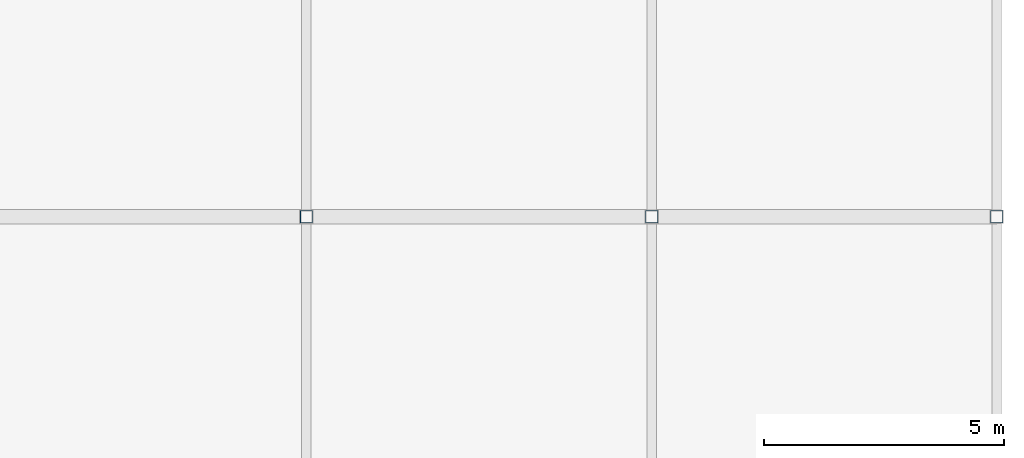
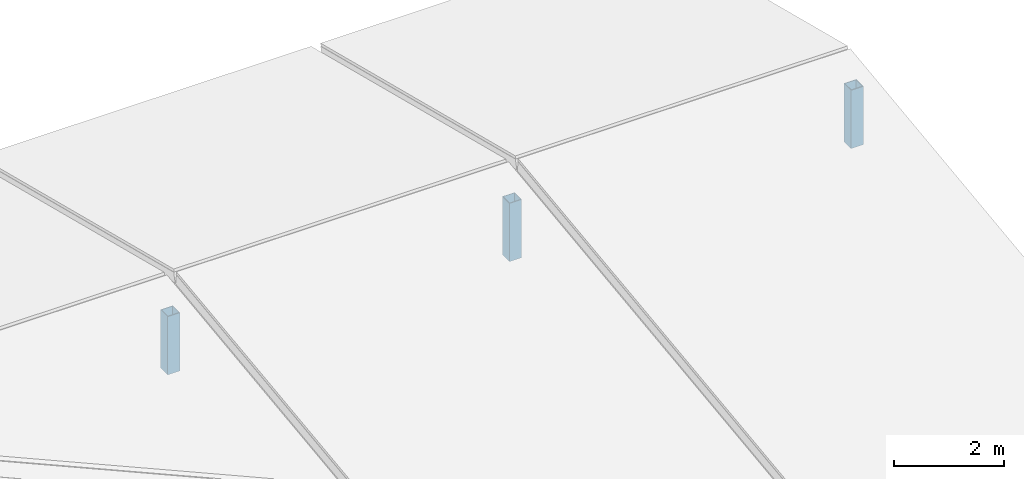
# One storey, part 2 of 60: 3 columns.
"""IFC4 building model written with IfcOpenShell, lengths in metres."""

import ifcopenshell
import ifcopenshell.guid

model = None  # the IFC model being written
_history = None  # IfcOwnerHistory: only IFC2X3 demands one
_inside = {}  # id of a spatial element -> (the spatial element, [elements in it])
_under = {}  # id of a project, library or spatial element -> (it, [spatial elements below it])
_declared = {}  # id of a project -> (the project, [libraries it declares])
_typed = {}  # id of a type object -> (the type object, [elements of that type])
_made_of = {}  # id of a material, layer set ... -> (it, [elements and type objects made of it])


def new_model(schema):
    """Start an empty IFC model of exactly this schema.

    Asked for "IFC4X3", IfcOpenShell would pick the latest addendum, in which some entities
    have other attributes; the version numbers below select the first issue.
    IFC2X3 requires an IfcOwnerHistory on every rooted entity: one is made here for all.
    """
    global model, _history
    if schema == "IFC4X3":
        model = ifcopenshell.file(schema_version=(4, 3, 0, 0))
    else:
        model = ifcopenshell.file(schema=schema)
    _inside.clear()
    _under.clear()
    _declared.clear()
    _typed.clear()
    _made_of.clear()
    _history = None
    if model.schema == "IFC2X3":
        org = make("IfcOrganization", Name="unknown")
        user = make(
            "IfcPersonAndOrganization",
            ThePerson=make("IfcPerson", FamilyName="unknown"),
            TheOrganization=org,
        )
        app = make(
            "IfcApplication",
            ApplicationDeveloper=org,
            Version="unknown",
            ApplicationFullName="unknown",
            ApplicationIdentifier="unknown",
        )
        _history = make(
            "IfcOwnerHistory",
            OwningUser=user,
            OwningApplication=app,
            ChangeAction="ADDED",
            CreationDate=0,
        )
    return model


def make(cls, **values):
    """One entity of the class cls with the attributes given. An attribute that is None is left unset."""
    return model.create_entity(
        cls, **{name: value for name, value in values.items() if value is not None}
    )


def rooted(cls, **values):
    """An entity with a GlobalId (a new one), such as an element, a storey or a relation."""
    return make(cls, GlobalId=ifcopenshell.guid.new(), OwnerHistory=_history, **values)


def si_unit(unit_type, name, prefix=None):
    """IfcSIUnit, for example si_unit("LENGTHUNIT", "METRE", prefix="MILLI")."""
    return make("IfcSIUnit", UnitType=unit_type, Prefix=prefix, Name=name)


def assignment(units):
    """IfcUnitAssignment: the units of a project."""
    return None if units is None else make("IfcUnitAssignment", Units=units)


def point(xyz):
    """IfcCartesianPoint."""
    return None if xyz is None else make("IfcCartesianPoint", Coordinates=xyz)


def direction(xyz):
    """IfcDirection."""
    return None if xyz is None else make("IfcDirection", DirectionRatios=xyz)


def frame(location, z_axis=None, x_axis=None):
    """IfcAxis2Placement3D, a coordinate frame: its origin and axes. An axis left out is left unset."""
    return make(
        "IfcAxis2Placement3D",
        Location=point(location),
        Axis=direction(z_axis),
        RefDirection=direction(x_axis),
    )


def frame_2d(location, x_axis=None):
    """IfcAxis2Placement2D, a coordinate frame in the plane: its origin and x axis."""
    return make(
        "IfcAxis2Placement2D", Location=point(location), RefDirection=direction(x_axis)
    )


def origin():
    """The frame at (0, 0, 0) with its axes left unset."""
    return frame((0.0, 0.0, 0.0))


def origin_2d():
    """The frame at (0, 0) in the plane with its x axis left unset."""
    return frame_2d((0.0, 0.0))


def place(relative_to, where):
    """IfcLocalPlacement: puts the frame where relative to a parent placement (None: the world)."""
    return make(
        "IfcLocalPlacement", PlacementRelTo=relative_to, RelativePlacement=where
    )


def context(
    kind, dimensions, precision=None, world=None, true_north=None, identifier=None
):
    """IfcGeometricRepresentationContext, for example the 3D "Model" context."""
    return make(
        "IfcGeometricRepresentationContext",
        ContextIdentifier=identifier,
        ContextType=kind,
        CoordinateSpaceDimension=dimensions,
        Precision=precision,
        WorldCoordinateSystem=world,
        TrueNorth=true_north,
    )


def subcontext(parent, identifier, kind, view, scale=None):
    """IfcGeometricRepresentationSubContext, for example "Body" below "Model"."""
    return make(
        "IfcGeometricRepresentationSubContext",
        ContextIdentifier=identifier,
        ContextType=kind,
        ParentContext=parent,
        TargetScale=scale,
        TargetView=view,
    )


def project(units=None, contexts=None):
    """IfcProject with its units and contexts."""
    return rooted(
        "IfcProject",
        Name="project",
        RepresentationContexts=contexts,
        UnitsInContext=assignment(units),
    )


def spatial(cls, under=None, at=None, **own):
    """A site, building, storey or space (cls), placed at a placement, below another one or the project."""
    s = rooted(cls, ObjectPlacement=at, **own)
    if under is not None:
        _under.setdefault(under.id(), (under, []))[1].append(s)
    return s


def profile(cls, at=None, kind="AREA", **sizes):
    """A parametric profile (cls). Its sizes go by their IFC names, for example OverallWidth=200.0."""
    return make(cls, ProfileType=kind, Position=at, **sizes)


def hollow_rectangle(**sizes):
    """IfcRectangleHollowProfileDef."""
    return profile("IfcRectangleHollowProfileDef", **sizes)


def extrude(swept, where, along, depth):
    """IfcExtrudedAreaSolid: the profile swept, set in the frame where, extruded along a direction by depth."""
    return make(
        "IfcExtrudedAreaSolid",
        SweptArea=swept,
        Position=where,
        ExtrudedDirection=direction(along),
        Depth=depth,
    )


def shape(context_of_items, identifier, shape_type, items):
    """IfcShapeRepresentation: the items that make up one representation, for example the "Body"."""
    return make(
        "IfcShapeRepresentation",
        ContextOfItems=context_of_items,
        RepresentationIdentifier=identifier,
        RepresentationType=shape_type,
        Items=items,
    )


def material(Name=None, Category=None):
    """IfcMaterial."""
    return make("IfcMaterial", Name=Name, Category=Category)


def material_profile(
    of_material, cross_section, Name=None, Category=None, Priority=None
):
    """IfcMaterialProfile: a cross section and its material."""
    return make(
        "IfcMaterialProfile",
        Name=Name,
        Material=of_material,
        Profile=cross_section,
        Priority=Priority,
        Category=Category,
    )


def profile_set(profiles, Name=None, composite=None):
    """IfcMaterialProfileSet."""
    return make(
        "IfcMaterialProfileSet",
        Name=Name,
        MaterialProfiles=profiles,
        CompositeProfile=composite,
    )


def made_of(thing, what):
    """Note that an element or type object is made of a material, layer set ...; save() writes the relation."""
    if what is not None:
        _made_of.setdefault(what.id(), (what, []))[1].append(thing)
    return thing


def type_object(cls, material=None, **own):
    """A type object (cls), such as IfcWallType, which elements share."""
    return made_of(rooted(cls, **own), material)


def element(
    cls,
    number,
    at=None,
    inside=None,
    cuts=None,
    type_object=None,
    material=None,
    context=None,
    identifier="Body",
    shape_type=None,
    held_by="IfcProductDefinitionShape",
    body=None,
    shapes=None,
    **own,
):
    """One element of the class cls, such as IfcWall. Its Tag is "e" and its number.

    at: its placement. inside: the storey or other place that contains it. cuts: it is an
    opening in that element (IfcRelVoidsElement). A single representation is given by context,
    identifier, shape_type and body (its items); several are given by shapes. held_by: the class
    of the entity that holds the representations. save() writes the other relations.
    """
    e = rooted(cls, Tag="e%d" % number, ObjectPlacement=at, **own)
    if body is not None:
        shapes = [shape(context, identifier, shape_type, body)]
    if shapes is not None:
        e.Representation = make(held_by, Representations=shapes)
    if inside is not None:
        _inside.setdefault(inside.id(), (inside, []))[1].append(e)
    if cuts is not None:
        rooted(
            "IfcRelVoidsElement", RelatingBuildingElement=cuts, RelatedOpeningElement=e
        )
    if type_object is not None:
        _typed.setdefault(type_object.id(), (type_object, []))[1].append(e)
    return made_of(e, material)


def aggregate(whole, parts):
    """IfcRelAggregates: a whole, such as a stair, and the parts it consists of."""
    return rooted("IfcRelAggregates", RelatingObject=whole, RelatedObjects=parts)


def save(model, path):
    """Write the relations noted so far, then the file.

    IfcRelAggregates (storeys below a building ...), IfcRelContainedInSpatialStructure (elements
    in a storey), IfcRelDefinesByType, IfcRelAssociatesMaterial and IfcRelDeclares: one each for
    every whole, place, type object, material and project.
    """
    for whole, parts in _under.values():
        aggregate(whole, parts)
    for where, things in _inside.values():
        rooted(
            "IfcRelContainedInSpatialStructure",
            RelatedElements=things,
            RelatingStructure=where,
        )
    for kind, things in _typed.values():
        rooted("IfcRelDefinesByType", RelatedObjects=things, RelatingType=kind)
    for what, things in _made_of.values():
        rooted("IfcRelAssociatesMaterial", RelatedObjects=things, RelatingMaterial=what)
    for by, libraries in _declared.values():
        rooted("IfcRelDeclares", RelatingContext=by, RelatedDefinitions=libraries)
    model.write(path)


model = new_model("IFC4")

# Units and contexts
model_context = context("Model", 3, precision=1e-05, world=origin(), true_north=direction((0.0, 1.0)))
body_context = subcontext(model_context, "Body", "Model", "MODEL_VIEW")
ifc_project = project(units=[si_unit("LENGTHUNIT", "METRE"), si_unit("AREAUNIT", "SQUARE_METRE"), si_unit("VOLUMEUNIT", "CUBIC_METRE"), si_unit("PLANEANGLEUNIT", "RADIAN"), si_unit("MASSUNIT", "GRAM", prefix="KILO")], contexts=[model_context])

# Site, building, storey
site_placement = place(None, origin())
site = spatial("IfcSite", under=ifc_project, at=site_placement, CompositionType="ELEMENT")
building_placement = place(site_placement, origin())
building = spatial("IfcBuilding", under=site, at=building_placement, Name="Vesperath Aquatics Centre", CompositionType="ELEMENT")
storey_placement = place(building_placement, frame((0.0, 0.0, 27.60009765625)))
storey = spatial("IfcBuildingStorey", under=building, at=storey_placement, Name="RF", CompositionType="ELEMENT", Elevation=27.60009765625)

# Columns
ifc_material = material(Name="Steel Q355C", Category="steel")
ifc_material_profile = material_profile(ifc_material, hollow_rectangle(XDim=0.260009765625, YDim=0.260009765625, WallThickness=0.011962890625, at=origin_2d()), Name="SHS 260x260x12")
ifc_profile_set = profile_set([ifc_material_profile], Name="Steel Q355C")
column_type = type_object("IfcColumnType", Name="CL-C17", PredefinedType="COLUMN", material=ifc_profile_set)
for number, where, z_axis, x_axis, name in (
    (1, (158.39990234375, 21.60009765625, 0.0), (0.0, 0.0, 1.0), (1.0, 0.0, 0.0), "Boulevard Attic Ridge Column C17 RF 23/D"),
    (2, (165.60009765625, 21.60009765625, 0.0), (0.0, 0.0, 1.0), (1.0, 0.0, 0.0), "Boulevard Attic Ridge Column C17 RF 24/D"),
    (3, (172.800048828125, 21.60009765625, 0.0), (0.0, 0.0, 1.0), (1.0, 0.0, 0.0), "Boulevard Attic Ridge Column C17 RF 25/D"),
):
    element("IfcColumn", number, at=place(storey_placement, frame(where, z_axis=z_axis, x_axis=x_axis)), inside=storey, type_object=column_type, Name=name, PredefinedType="COLUMN", context=body_context, shape_type="SweptSolid", body=[
        extrude(hollow_rectangle(XDim=0.260009765625, YDim=0.260009765625, WallThickness=0.011962890625, at=origin_2d()), origin(), (0.0, 0.0, 1.0), 1.2998046875),
    ])

save(model, "model.ifc")
